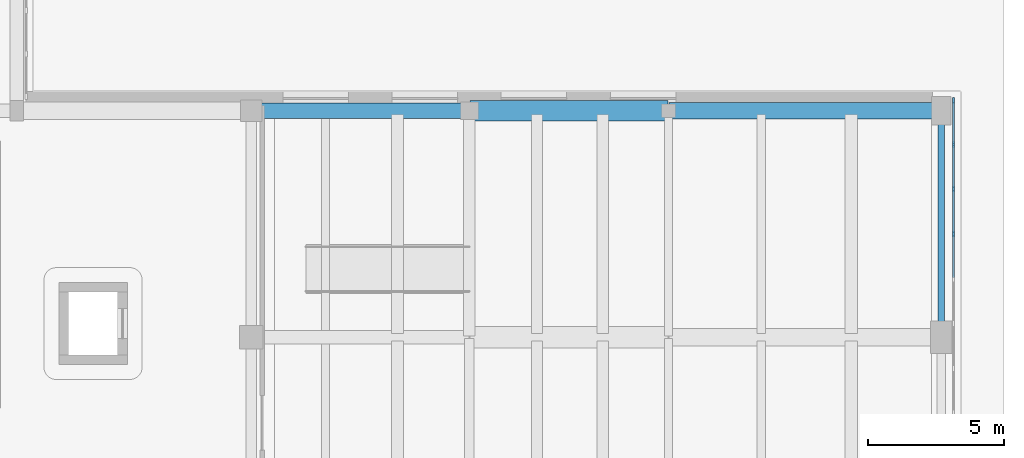
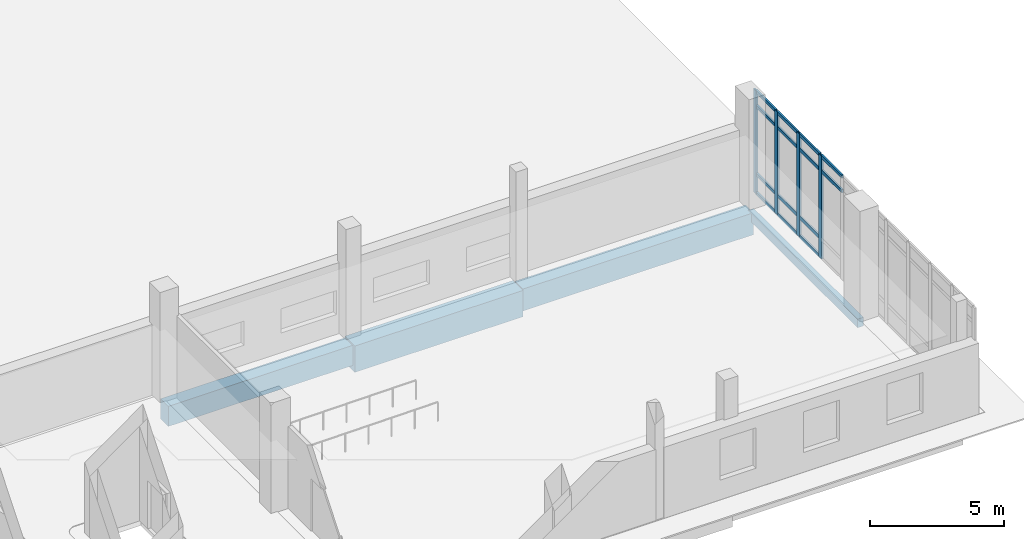
# One storey, part 31 of 74: 18 members, 4 beams, 1 element without a shape of its own.
"""IFC4 building model written with IfcOpenShell, lengths in metres."""

from ifc_helpers import new_model, si_unit, direction, frame, origin, origin_2d, place, context, subcontext, project, spatial, rectangle, extrude, material, material_profile, profile_set, type_object, element, aggregate, save


model = new_model("IFC4")

# Units and contexts
model_context = context("Model", 3, precision=1e-05, world=origin(), true_north=direction((0.0, 1.0)))
body_context = subcontext(model_context, "Body", "Model", "MODEL_VIEW")
ifc_project = project(units=[si_unit("LENGTHUNIT", "METRE"), si_unit("AREAUNIT", "SQUARE_METRE"), si_unit("VOLUMEUNIT", "CUBIC_METRE"), si_unit("PLANEANGLEUNIT", "RADIAN"), si_unit("MASSUNIT", "GRAM", prefix="KILO")], contexts=[model_context])

# Site, building, storey
site_placement = place(None, origin())
site = spatial("IfcSite", under=ifc_project, at=site_placement, CompositionType="ELEMENT")
building_placement = place(site_placement, origin())
building = spatial("IfcBuilding", under=site, at=building_placement, Name="Soyqirgoq Riverine Aquarium", CompositionType="ELEMENT")
storey_placement = place(building_placement, origin())
storey = spatial("IfcBuildingStorey", under=building, at=storey_placement, Name="L01", CompositionType="ELEMENT", Elevation=0.0)

# Curtain wall, members
ifc_material_1 = material(Name="Structural silicone glazed entrance curtain wall", Category="aluminium")
curtain_wall_type = type_object("IfcCurtainWallType", Name="CW_Portal_Entrance", PredefinedType="NOTDEFINED", material=ifc_material_1)
curtain_wall_placement = place(storey_placement, origin())
curtain_wall = element("IfcCurtainWall", 1, at=curtain_wall_placement, inside=storey, type_object=curtain_wall_type, Name="V6 L01 Curtain Wall 111", PredefinedType="NOTDEFINED")
ifc_material_2 = material(Name="Anodised aluminium 6063-T6", Category="aluminium")
ifc_material_profile_1 = material_profile(ifc_material_2, rectangle(XDim=0.080078125, YDim=0.219970703125, at=origin_2d()), Name="ALU-M 80x220")
ifc_profile_set_1 = profile_set([ifc_material_profile_1], Name="Anodised aluminium 6063-T6")
member_type_1 = type_object("IfcMemberType", Name="CWMullion_80x220", PredefinedType="MULLION", material=ifc_profile_set_1)
member_1_placement = place(storey_placement, frame((163.75, 18.169921875, 0.0), z_axis=(0.0, 0.0, 1.0), x_axis=(1.0, 0.0, 0.0)))
member_1 = element("IfcMember", 2, at=member_1_placement, type_object=member_type_1, Name="CW-04 mullion 1", PredefinedType="MULLION", context=body_context, shape_type="SweptSolid", body=[
    extrude(rectangle(XDim=0.080078125, YDim=0.219970703125, at=origin_2d()), origin(), (0.0, 0.0, 1.0), 4.699951171875),
])
member_2_placement = place(storey_placement, frame((163.75, 16.568115234375, 0.0), z_axis=(0.0, 0.0, 1.0), x_axis=(1.0, 0.0, 0.0)))
member_2 = element("IfcMember", 3, at=member_2_placement, type_object=member_type_1, Name="CW-04 mullion 2", PredefinedType="MULLION", context=body_context, shape_type="SweptSolid", body=[
    extrude(rectangle(XDim=0.080078125, YDim=0.219970703125, at=origin_2d()), origin(), (0.0, 0.0, 1.0), 4.699951171875),
])
member_3_placement = place(storey_placement, frame((163.75, 14.926025390625, 0.0), z_axis=(0.0, 0.0, 1.0), x_axis=(1.0, 0.0, 0.0)))
member_3 = element("IfcMember", 4, at=member_3_placement, type_object=member_type_1, Name="CW-04 mullion 3", PredefinedType="MULLION", context=body_context, shape_type="SweptSolid", body=[
    extrude(rectangle(XDim=0.080078125, YDim=0.219970703125, at=origin_2d()), origin(), (0.0, 0.0, 1.0), 4.699951171875),
])
member_4_placement = place(storey_placement, frame((163.75, 13.283935546875, 0.0), z_axis=(0.0, 0.0, 1.0), x_axis=(1.0, 0.0, 0.0)))
member_4 = element("IfcMember", 5, at=member_4_placement, type_object=member_type_1, Name="CW-04 mullion 4", PredefinedType="MULLION", context=body_context, shape_type="SweptSolid", body=[
    extrude(rectangle(XDim=0.080078125, YDim=0.219970703125, at=origin_2d()), origin(), (0.0, 0.0, 1.0), 4.699951171875),
])
ifc_material_3 = material(Name="Anodised aluminium 6063-T6", Category="aluminium")
ifc_material_profile_2 = material_profile(ifc_material_3, rectangle(XDim=0.074951171875, YDim=0.14990234375, at=origin_2d()), Name="ALU-T 75x150")
ifc_profile_set_2 = profile_set([ifc_material_profile_2], Name="Anodised aluminium 6063-T6")
member_type_2 = type_object("IfcMemberType", Name="CWTransom_75x150", PredefinedType="USERDEFINED", material=ifc_profile_set_2)
member_5_placement = place(storey_placement, frame((163.75, 18.1298828125, 0.03759765625), z_axis=(0.0, -1.0, 0.0), x_axis=(1.0, 0.0, 0.0)))
member_5 = element("IfcMember", 6, at=member_5_placement, type_object=member_type_2, Name="CW-04 transom 1.1", ObjectType="TRANSOM", PredefinedType="USERDEFINED", context=body_context, shape_type="SweptSolid", body=[
    extrude(rectangle(XDim=0.074951171875, YDim=0.14990234375, at=origin_2d()), origin(), (0.0, 0.0, 1.0), 1.52197265625),
])
member_6_placement = place(storey_placement, frame((163.75, 18.1298828125, 0.89990234375), z_axis=(0.0, -1.0, 0.0), x_axis=(1.0, 0.0, 0.0)))
member_6 = element("IfcMember", 7, at=member_6_placement, type_object=member_type_2, Name="CW-04 transom 1.2", ObjectType="TRANSOM", PredefinedType="USERDEFINED", context=body_context, shape_type="SweptSolid", body=[
    extrude(rectangle(XDim=0.074951171875, YDim=0.14990234375, at=origin_2d()), origin(), (0.0, 0.0, 1.0), 1.52197265625),
])
member_7_placement = place(storey_placement, frame((163.75, 18.1298828125, 4.0), z_axis=(0.0, -1.0, 0.0), x_axis=(1.0, 0.0, 0.0)))
member_7 = element("IfcMember", 8, at=member_7_placement, type_object=member_type_2, Name="CW-04 transom 1.3", ObjectType="TRANSOM", PredefinedType="USERDEFINED", context=body_context, shape_type="SweptSolid", body=[
    extrude(rectangle(XDim=0.074951171875, YDim=0.14990234375, at=origin_2d()), origin(), (0.0, 0.0, 1.0), 1.52197265625),
])
member_8_placement = place(storey_placement, frame((163.75, 18.1298828125, 4.66259765625), z_axis=(0.0, -1.0, 0.0), x_axis=(1.0, 0.0, 0.0)))
member_8 = element("IfcMember", 9, at=member_8_placement, type_object=member_type_2, Name="CW-04 transom 1.4", ObjectType="TRANSOM", PredefinedType="USERDEFINED", context=body_context, shape_type="SweptSolid", body=[
    extrude(rectangle(XDim=0.074951171875, YDim=0.14990234375, at=origin_2d()), origin(), (0.0, 0.0, 1.0), 1.52197265625),
])
member_9_placement = place(storey_placement, frame((163.75, 16.528076171875, 0.03759765625), z_axis=(0.0, -1.0, 0.0), x_axis=(1.0, 0.0, 0.0)))
member_9 = element("IfcMember", 10, at=member_9_placement, type_object=member_type_2, Name="CW-04 transom 2.1", ObjectType="TRANSOM", PredefinedType="USERDEFINED", context=body_context, shape_type="SweptSolid", body=[
    extrude(rectangle(XDim=0.074951171875, YDim=0.14990234375, at=origin_2d()), origin(), (0.0, 0.0, 1.0), 1.56201171875),
])
member_10_placement = place(storey_placement, frame((163.75, 16.528076171875, 0.89990234375), z_axis=(0.0, -1.0, 0.0), x_axis=(1.0, 0.0, 0.0)))
member_10 = element("IfcMember", 11, at=member_10_placement, type_object=member_type_2, Name="CW-04 transom 2.2", ObjectType="TRANSOM", PredefinedType="USERDEFINED", context=body_context, shape_type="SweptSolid", body=[
    extrude(rectangle(XDim=0.074951171875, YDim=0.14990234375, at=origin_2d()), origin(), (0.0, 0.0, 1.0), 1.56201171875),
])
member_11_placement = place(storey_placement, frame((163.75, 16.528076171875, 4.0), z_axis=(0.0, -1.0, 0.0), x_axis=(1.0, 0.0, 0.0)))
member_11 = element("IfcMember", 12, at=member_11_placement, type_object=member_type_2, Name="CW-04 transom 2.3", ObjectType="TRANSOM", PredefinedType="USERDEFINED", context=body_context, shape_type="SweptSolid", body=[
    extrude(rectangle(XDim=0.074951171875, YDim=0.14990234375, at=origin_2d()), origin(), (0.0, 0.0, 1.0), 1.56201171875),
])
member_12_placement = place(storey_placement, frame((163.75, 16.528076171875, 4.66259765625), z_axis=(0.0, -1.0, 0.0), x_axis=(1.0, 0.0, 0.0)))
member_12 = element("IfcMember", 13, at=member_12_placement, type_object=member_type_2, Name="CW-04 transom 2.4", ObjectType="TRANSOM", PredefinedType="USERDEFINED", context=body_context, shape_type="SweptSolid", body=[
    extrude(rectangle(XDim=0.074951171875, YDim=0.14990234375, at=origin_2d()), origin(), (0.0, 0.0, 1.0), 1.56201171875),
])
member_13_placement = place(storey_placement, frame((163.75, 14.885986328125, 0.03759765625), z_axis=(0.0, -1.0, 0.0), x_axis=(1.0, 0.0, 0.0)))
member_13 = element("IfcMember", 14, at=member_13_placement, type_object=member_type_2, Name="CW-04 transom 3.1", ObjectType="TRANSOM", PredefinedType="USERDEFINED", context=body_context, shape_type="SweptSolid", body=[
    extrude(rectangle(XDim=0.074951171875, YDim=0.14990234375, at=origin_2d()), origin(), (0.0, 0.0, 1.0), 1.56201171875),
])
member_14_placement = place(storey_placement, frame((163.75, 14.885986328125, 0.89990234375), z_axis=(0.0, -1.0, 0.0), x_axis=(1.0, 0.0, 0.0)))
member_14 = element("IfcMember", 15, at=member_14_placement, type_object=member_type_2, Name="CW-04 transom 3.2", ObjectType="TRANSOM", PredefinedType="USERDEFINED", context=body_context, shape_type="SweptSolid", body=[
    extrude(rectangle(XDim=0.074951171875, YDim=0.14990234375, at=origin_2d()), origin(), (0.0, 0.0, 1.0), 1.56201171875),
])
member_15_placement = place(storey_placement, frame((163.75, 14.885986328125, 4.0), z_axis=(0.0, -1.0, 0.0), x_axis=(1.0, 0.0, 0.0)))
member_15 = element("IfcMember", 16, at=member_15_placement, type_object=member_type_2, Name="CW-04 transom 3.3", ObjectType="TRANSOM", PredefinedType="USERDEFINED", context=body_context, shape_type="SweptSolid", body=[
    extrude(rectangle(XDim=0.074951171875, YDim=0.14990234375, at=origin_2d()), origin(), (0.0, 0.0, 1.0), 1.56201171875),
])
member_16_placement = place(storey_placement, frame((163.75, 14.885986328125, 4.66259765625), z_axis=(0.0, -1.0, 0.0), x_axis=(1.0, 0.0, 0.0)))
member_16 = element("IfcMember", 17, at=member_16_placement, type_object=member_type_2, Name="CW-04 transom 3.4", ObjectType="TRANSOM", PredefinedType="USERDEFINED", context=body_context, shape_type="SweptSolid", body=[
    extrude(rectangle(XDim=0.074951171875, YDim=0.14990234375, at=origin_2d()), origin(), (0.0, 0.0, 1.0), 1.56201171875),
])
member_17_placement = place(storey_placement, frame((163.75, 13.243896484375, 4.0), z_axis=(0.0, -1.0, 0.0), x_axis=(1.0, 0.0, 0.0)))
member_17 = element("IfcMember", 18, at=member_17_placement, type_object=member_type_2, Name="CW-04 transom 4.3", ObjectType="TRANSOM", PredefinedType="USERDEFINED", context=body_context, shape_type="SweptSolid", body=[
    extrude(rectangle(XDim=0.074951171875, YDim=0.14990234375, at=origin_2d()), origin(), (0.0, 0.0, 1.0), 1.56201171875),
])
member_18_placement = place(storey_placement, frame((163.75, 13.243896484375, 4.66259765625), z_axis=(0.0, -1.0, 0.0), x_axis=(1.0, 0.0, 0.0)))
member_18 = element("IfcMember", 19, at=member_18_placement, type_object=member_type_2, Name="CW-04 transom 4.4", ObjectType="TRANSOM", PredefinedType="USERDEFINED", context=body_context, shape_type="SweptSolid", body=[
    extrude(rectangle(XDim=0.074951171875, YDim=0.14990234375, at=origin_2d()), origin(), (0.0, 0.0, 1.0), 1.56201171875),
])
aggregate(curtain_wall, [member_1, member_2, member_3, member_4, member_5, member_6, member_7, member_8, member_9, member_10, member_11, member_12, member_13, member_14, member_15, member_16, member_17, member_18])

# Beams
ifc_material_4 = material(Name="Concrete C40/50", Category="concrete")
ifc_material_profile_3 = material_profile(ifc_material_4, rectangle(XDim=0.580078125, YDim=0.919921875, at=origin_2d()), Name="RC 580x920")
ifc_profile_set_3 = profile_set([ifc_material_profile_3], Name="Concrete C40/50")
beam_type_1 = type_object("IfcBeamType", Name="Girder_RC_580x920", PredefinedType="BEAM", material=ifc_profile_set_3)
beam_1_placement = place(storey_placement, frame((138.02001953125, 17.800048828125, -0.81005859375), z_axis=(1.0, 0.0, 0.0), x_axis=(0.0, 1.0, 0.0)))
element("IfcBeam", 20, at=beam_1_placement, inside=storey, type_object=beam_type_1, Name="V6 L01 East-West Frame Girder 1041", PredefinedType="BEAM", context=body_context, shape_type="SweptSolid", body=[
    extrude(rectangle(XDim=0.580078125, YDim=0.919921875, at=origin_2d()), origin(), (0.0, 0.0, 1.0), 7.9599609375),
])
ifc_material_5 = material(Name="Concrete C40/50", Category="concrete")
ifc_material_profile_4 = material_profile(ifc_material_5, rectangle(XDim=0.60009765625, YDim=1.0, at=origin_2d()), Name="RC 600x1000")
ifc_profile_set_4 = profile_set([ifc_material_profile_4], Name="Concrete C40/50")
beam_type_2 = type_object("IfcBeamType", Name="Girder_RC_600x1000", PredefinedType="BEAM", material=ifc_profile_set_4)
beam_2_placement = place(storey_placement, frame((153.320068359375, 17.800048828125, -0.85009765625), z_axis=(1.0, 0.0, 0.0), x_axis=(0.0, 1.0, 0.0)))
element("IfcBeam", 21, at=beam_2_placement, inside=storey, type_object=beam_type_2, Name="V6 L01 East-West Frame Girder 1051", PredefinedType="BEAM", context=body_context, shape_type="SweptSolid", body=[
    extrude(rectangle(XDim=0.60009765625, YDim=1.0, at=origin_2d()), origin(), (0.0, 0.0, 1.0), 9.9599609375),
])
ifc_material_6 = material(Name="Concrete C40/50", Category="concrete")
ifc_material_profile_5 = material_profile(ifc_material_6, rectangle(XDim=0.75, YDim=1.199951171875, at=origin_2d()), Name="RC 750x1200")
ifc_profile_set_5 = profile_set([ifc_material_profile_5], Name="Concrete C40/50")
beam_type_3 = type_object("IfcBeamType", Name="Girder_RC_750x1200", PredefinedType="BEAM", material=ifc_profile_set_5)
beam_3_placement = place(storey_placement, frame((146.02001953125, 17.800048828125, -0.949951171875), z_axis=(1.0, 0.0, 0.0), x_axis=(0.0, 1.0, 0.0)))
element("IfcBeam", 22, at=beam_3_placement, inside=storey, type_object=beam_type_3, Name="V6 L01 East-West Frame Girder 1046", PredefinedType="BEAM", context=body_context, shape_type="SweptSolid", body=[
    extrude(rectangle(XDim=0.75, YDim=1.199951171875, at=origin_2d()), origin(), (0.0, 0.0, 1.0), 7.260009765625),
])
ifc_material_7 = material(Name="Concrete C40/50", Category="concrete")
ifc_material_profile_6 = material_profile(ifc_material_7, rectangle(XDim=0.25, YDim=0.39990234375, at=origin_2d()), Name="RC 250x400")
ifc_profile_set_6 = profile_set([ifc_material_profile_6], Name="Concrete C40/50")
beam_type_4 = type_object("IfcBeamType", Name="Lintel_RC_250x400", PredefinedType="LINTEL", material=ifc_profile_set_6)
beam_4_placement = place(storey_placement, frame((163.300048828125, 9.550048828125, -0.550048828125), z_axis=(0.0, 1.0, 0.0), x_axis=(-1.0, 0.0, 0.0)))
element("IfcBeam", 23, at=beam_4_placement, inside=storey, type_object=beam_type_4, Name="V6 L01 North-South Frame Beam 1053", PredefinedType="LINTEL", context=body_context, shape_type="SweptSolid", body=[
    extrude(rectangle(XDim=0.25, YDim=0.39990234375, at=origin_2d()), origin(), (0.0, 0.0, 1.0), 8.199951171875),
])

save(model, "model.ifc")
